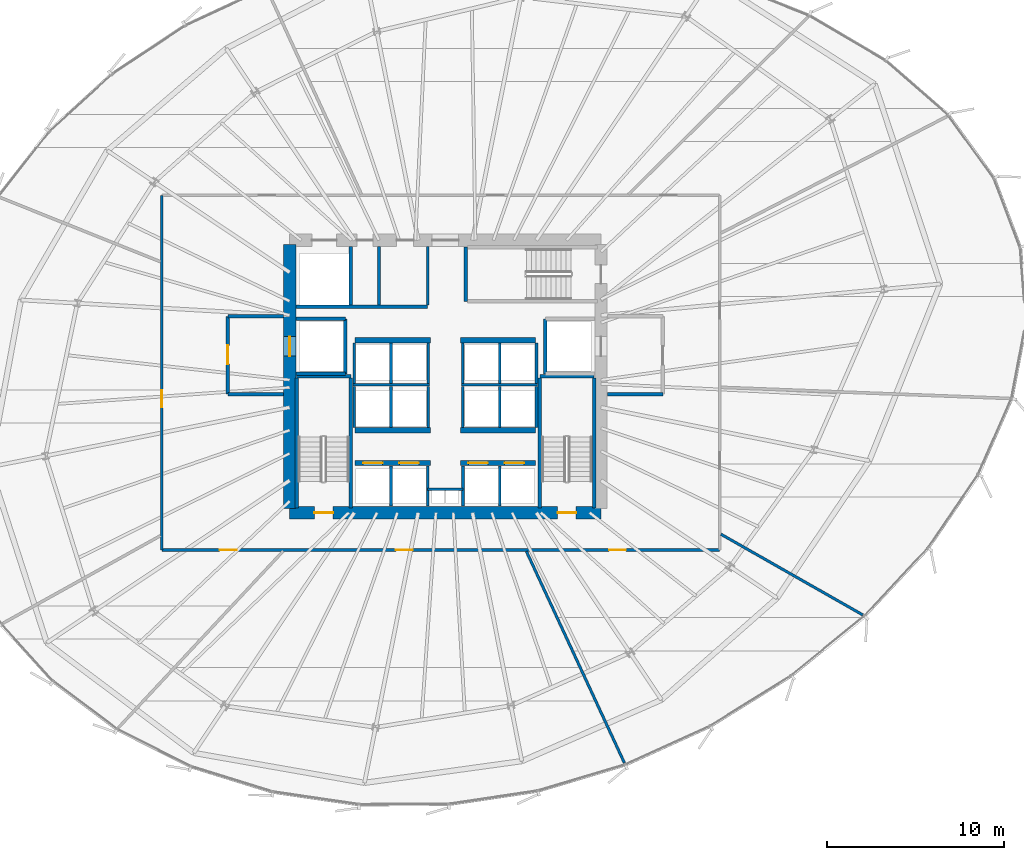
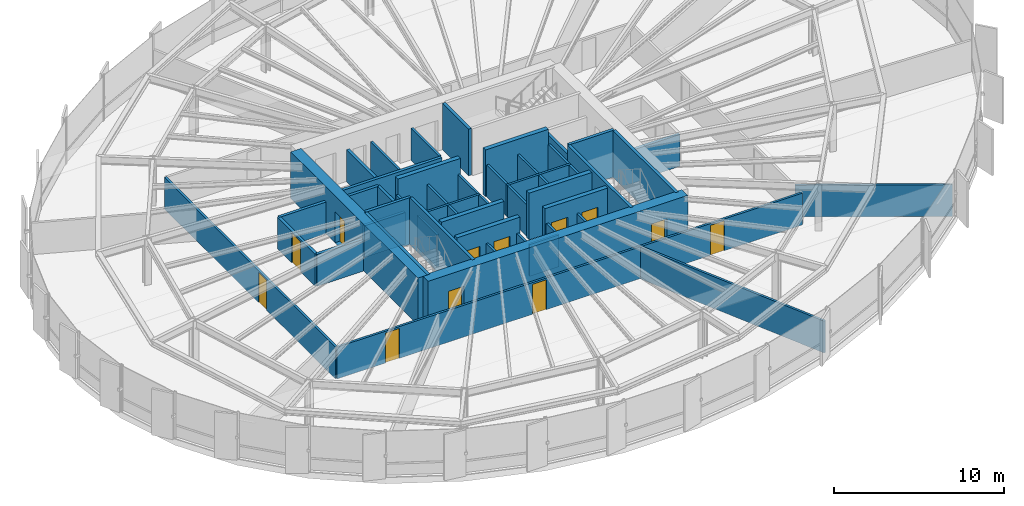
# One storey, part 29 of 35: 50 walls, 12 doors, 12 openings.
"""IFC4 building model written with IfcOpenShell, lengths in metres."""

import ifcopenshell
import ifcopenshell.guid

model = None  # the IFC model being written
_history = None  # IfcOwnerHistory: only IFC2X3 demands one
_inside = {}  # id of a spatial element -> (the spatial element, [elements in it])
_under = {}  # id of a project, library or spatial element -> (it, [spatial elements below it])
_declared = {}  # id of a project -> (the project, [libraries it declares])
_typed = {}  # id of a type object -> (the type object, [elements of that type])
_made_of = {}  # id of a material, layer set ... -> (it, [elements and type objects made of it])


def new_model(schema):
    """Start an empty IFC model of exactly this schema.

    Asked for "IFC4X3", IfcOpenShell would pick the latest addendum, in which some entities
    have other attributes; the version numbers below select the first issue.
    IFC2X3 requires an IfcOwnerHistory on every rooted entity: one is made here for all.
    """
    global model, _history
    if schema == "IFC4X3":
        model = ifcopenshell.file(schema_version=(4, 3, 0, 0))
    else:
        model = ifcopenshell.file(schema=schema)
    _inside.clear()
    _under.clear()
    _declared.clear()
    _typed.clear()
    _made_of.clear()
    _history = None
    if model.schema == "IFC2X3":
        org = make("IfcOrganization", Name="unknown")
        user = make(
            "IfcPersonAndOrganization",
            ThePerson=make("IfcPerson", FamilyName="unknown"),
            TheOrganization=org,
        )
        app = make(
            "IfcApplication",
            ApplicationDeveloper=org,
            Version="unknown",
            ApplicationFullName="unknown",
            ApplicationIdentifier="unknown",
        )
        _history = make(
            "IfcOwnerHistory",
            OwningUser=user,
            OwningApplication=app,
            ChangeAction="ADDED",
            CreationDate=0,
        )
    return model


def make(cls, **values):
    """One entity of the class cls with the attributes given. An attribute that is None is left unset."""
    return model.create_entity(
        cls, **{name: value for name, value in values.items() if value is not None}
    )


def rooted(cls, **values):
    """An entity with a GlobalId (a new one), such as an element, a storey or a relation."""
    return make(cls, GlobalId=ifcopenshell.guid.new(), OwnerHistory=_history, **values)


def si_unit(unit_type, name, prefix=None):
    """IfcSIUnit, for example si_unit("LENGTHUNIT", "METRE", prefix="MILLI")."""
    return make("IfcSIUnit", UnitType=unit_type, Prefix=prefix, Name=name)


def assignment(units):
    """IfcUnitAssignment: the units of a project."""
    return None if units is None else make("IfcUnitAssignment", Units=units)


def point(xyz):
    """IfcCartesianPoint."""
    return None if xyz is None else make("IfcCartesianPoint", Coordinates=xyz)


def direction(xyz):
    """IfcDirection."""
    return None if xyz is None else make("IfcDirection", DirectionRatios=xyz)


def frame(location, z_axis=None, x_axis=None):
    """IfcAxis2Placement3D, a coordinate frame: its origin and axes. An axis left out is left unset."""
    return make(
        "IfcAxis2Placement3D",
        Location=point(location),
        Axis=direction(z_axis),
        RefDirection=direction(x_axis),
    )


def frame_2d(location, x_axis=None):
    """IfcAxis2Placement2D, a coordinate frame in the plane: its origin and x axis."""
    return make(
        "IfcAxis2Placement2D", Location=point(location), RefDirection=direction(x_axis)
    )


def origin():
    """The frame at (0, 0, 0) with its axes left unset."""
    return frame((0.0, 0.0, 0.0))


def place(relative_to, where):
    """IfcLocalPlacement: puts the frame where relative to a parent placement (None: the world)."""
    return make(
        "IfcLocalPlacement", PlacementRelTo=relative_to, RelativePlacement=where
    )


def context(
    kind, dimensions, precision=None, world=None, true_north=None, identifier=None
):
    """IfcGeometricRepresentationContext, for example the 3D "Model" context."""
    return make(
        "IfcGeometricRepresentationContext",
        ContextIdentifier=identifier,
        ContextType=kind,
        CoordinateSpaceDimension=dimensions,
        Precision=precision,
        WorldCoordinateSystem=world,
        TrueNorth=true_north,
    )


def subcontext(parent, identifier, kind, view, scale=None):
    """IfcGeometricRepresentationSubContext, for example "Body" below "Model"."""
    return make(
        "IfcGeometricRepresentationSubContext",
        ContextIdentifier=identifier,
        ContextType=kind,
        ParentContext=parent,
        TargetScale=scale,
        TargetView=view,
    )


def project(units=None, contexts=None):
    """IfcProject with its units and contexts."""
    return rooted(
        "IfcProject",
        Name="project",
        RepresentationContexts=contexts,
        UnitsInContext=assignment(units),
    )


def spatial(cls, under=None, at=None, **own):
    """A site, building, storey or space (cls), placed at a placement, below another one or the project."""
    s = rooted(cls, ObjectPlacement=at, **own)
    if under is not None:
        _under.setdefault(under.id(), (under, []))[1].append(s)
    return s


def profile(cls, at=None, kind="AREA", **sizes):
    """A parametric profile (cls). Its sizes go by their IFC names, for example OverallWidth=200.0."""
    return make(cls, ProfileType=kind, Position=at, **sizes)


def rectangle(**sizes):
    """IfcRectangleProfileDef."""
    return profile("IfcRectangleProfileDef", **sizes)


def extrude(swept, where, along, depth):
    """IfcExtrudedAreaSolid: the profile swept, set in the frame where, extruded along a direction by depth."""
    return make(
        "IfcExtrudedAreaSolid",
        SweptArea=swept,
        Position=where,
        ExtrudedDirection=direction(along),
        Depth=depth,
    )


def shape(context_of_items, identifier, shape_type, items):
    """IfcShapeRepresentation: the items that make up one representation, for example the "Body"."""
    return make(
        "IfcShapeRepresentation",
        ContextOfItems=context_of_items,
        RepresentationIdentifier=identifier,
        RepresentationType=shape_type,
        Items=items,
    )


def source(mapping_origin, context_of_items, identifier, shape_type, items):
    """IfcRepresentationMap: a shape defined once, which mapped items show again and again."""
    return make(
        "IfcRepresentationMap",
        MappingOrigin=mapping_origin,
        MappedRepresentation=shape(context_of_items, identifier, shape_type, items),
    )


def transform(
    local_origin,
    x_axis=None,
    y_axis=None,
    z_axis=None,
    scale=None,
    scale2=None,
    scale3=None,
    uniform=True,
):
    """IfcCartesianTransformationOperator3D, or its non-uniform kind. x_axis, y_axis, z_axis: its Axis1, 2, 3."""
    if uniform:
        return make(
            "IfcCartesianTransformationOperator3D",
            Axis1=direction(x_axis),
            Axis2=direction(y_axis),
            LocalOrigin=point(local_origin),
            Scale=scale,
            Axis3=direction(z_axis),
        )
    return make(
        "IfcCartesianTransformationOperator3DnonUniform",
        Axis1=direction(x_axis),
        Axis2=direction(y_axis),
        LocalOrigin=point(local_origin),
        Scale=scale,
        Axis3=direction(z_axis),
        Scale2=scale2,
        Scale3=scale3,
    )


def mapped(mapping_source, mapping_target):
    """IfcMappedItem: shows the shape of a source again, moved by a transform."""
    return make(
        "IfcMappedItem", MappingSource=mapping_source, MappingTarget=mapping_target
    )


def material(Name=None, Category=None):
    """IfcMaterial."""
    return make("IfcMaterial", Name=Name, Category=Category)


def layer(
    of_material, thickness, ventilated=None, Name=None, Category=None, Priority=None
):
    """IfcMaterialLayer: one layer of a wall or slab, of a material (None: an air gap)."""
    return make(
        "IfcMaterialLayer",
        Material=of_material,
        LayerThickness=thickness,
        IsVentilated=ventilated,
        Name=Name,
        Category=Category,
        Priority=Priority,
    )


def layer_set(layers, Name=None):
    """IfcMaterialLayerSet."""
    return make("IfcMaterialLayerSet", MaterialLayers=layers, LayerSetName=Name)


def made_of(thing, what):
    """Note that an element or type object is made of a material, layer set ...; save() writes the relation."""
    if what is not None:
        _made_of.setdefault(what.id(), (what, []))[1].append(thing)
    return thing


def type_object(cls, material=None, **own):
    """A type object (cls), such as IfcWallType, which elements share."""
    return made_of(rooted(cls, **own), material)


def element(
    cls,
    number,
    at=None,
    inside=None,
    cuts=None,
    type_object=None,
    material=None,
    context=None,
    identifier="Body",
    shape_type=None,
    held_by="IfcProductDefinitionShape",
    body=None,
    shapes=None,
    **own,
):
    """One element of the class cls, such as IfcWall. Its Tag is "e" and its number.

    at: its placement. inside: the storey or other place that contains it. cuts: it is an
    opening in that element (IfcRelVoidsElement). A single representation is given by context,
    identifier, shape_type and body (its items); several are given by shapes. held_by: the class
    of the entity that holds the representations. save() writes the other relations.
    """
    e = rooted(cls, Tag="e%d" % number, ObjectPlacement=at, **own)
    if body is not None:
        shapes = [shape(context, identifier, shape_type, body)]
    if shapes is not None:
        e.Representation = make(held_by, Representations=shapes)
    if inside is not None:
        _inside.setdefault(inside.id(), (inside, []))[1].append(e)
    if cuts is not None:
        rooted(
            "IfcRelVoidsElement", RelatingBuildingElement=cuts, RelatedOpeningElement=e
        )
    if type_object is not None:
        _typed.setdefault(type_object.id(), (type_object, []))[1].append(e)
    return made_of(e, material)


def fill(opening, filler):
    """IfcRelFillsElement: the door or window that sits in an opening."""
    return rooted(
        "IfcRelFillsElement",
        RelatingOpeningElement=opening,
        RelatedBuildingElement=filler,
    )


def aggregate(whole, parts):
    """IfcRelAggregates: a whole, such as a stair, and the parts it consists of."""
    return rooted("IfcRelAggregates", RelatingObject=whole, RelatedObjects=parts)


def save(model, path):
    """Write the relations noted so far, then the file.

    IfcRelAggregates (storeys below a building ...), IfcRelContainedInSpatialStructure (elements
    in a storey), IfcRelDefinesByType, IfcRelAssociatesMaterial and IfcRelDeclares: one each for
    every whole, place, type object, material and project.
    """
    for whole, parts in _under.values():
        aggregate(whole, parts)
    for where, things in _inside.values():
        rooted(
            "IfcRelContainedInSpatialStructure",
            RelatedElements=things,
            RelatingStructure=where,
        )
    for kind, things in _typed.values():
        rooted("IfcRelDefinesByType", RelatedObjects=things, RelatingType=kind)
    for what, things in _made_of.values():
        rooted("IfcRelAssociatesMaterial", RelatedObjects=things, RelatingMaterial=what)
    for by, libraries in _declared.values():
        rooted("IfcRelDeclares", RelatingContext=by, RelatedDefinitions=libraries)
    model.write(path)


model = new_model("IFC4")

# Units and contexts
model_context = context("Model", 3, precision=1e-05, world=origin(), true_north=direction((0.0, 1.0)))
body_context = subcontext(model_context, "Body", "Model", "MODEL_VIEW")
ifc_project = project(units=[si_unit("LENGTHUNIT", "METRE"), si_unit("AREAUNIT", "SQUARE_METRE"), si_unit("VOLUMEUNIT", "CUBIC_METRE"), si_unit("PLANEANGLEUNIT", "RADIAN"), si_unit("MASSUNIT", "GRAM", prefix="KILO"), si_unit("THERMODYNAMICTEMPERATUREUNIT", "KELVIN")], contexts=[model_context])

# Site, building, storey
site_placement = place(None, origin())
site = spatial("IfcSite", under=ifc_project, at=site_placement, CompositionType="ELEMENT")
building_placement = place(site_placement, origin())
building = spatial("IfcBuilding", under=site, at=building_placement, Name="Kethvar Cultural Tower", CompositionType="ELEMENT")
storey_placement = place(building_placement, frame((0.0, 0.0, 85.60009765625)))
storey = spatial("IfcBuildingStorey", under=building, at=storey_placement, Name="L20", CompositionType="ELEMENT", Elevation=85.60009765625)

# Wall, openings, doors
ifc_material_1 = material(Name="Concrete C60/75", Category="concrete")
ifc_layer_1 = layer(ifc_material_1, 0.699951171875, Name="Concrete C60/75", Category="concrete")
ifc_layer_set_1 = layer_set([ifc_layer_1], Name="Concrete C60/75 (700 mm)")
wall_type_1 = type_object("IfcWallType", Name="WL-CORE-700", PredefinedType="SHEAR", material=ifc_layer_set_1)
wall_1_placement = place(storey_placement, frame((38.0, 20.10009765625, 0.0), z_axis=(0.0, 0.0, 1.0), x_axis=(1.0, 0.0, 0.0)))
wall_1 = element("IfcWall", 1, at=wall_1_placement, inside=storey, type_object=wall_type_1, Name="L20 Core Shear Wall S", PredefinedType="SHEAR", context=body_context, shape_type="SweptSolid", body=[
    extrude(rectangle(XDim=17.60009765625, YDim=0.699951171875, at=frame_2d((8.800048828125, 0.0))), origin(), (0.0, 0.0, 1.0), 3.349853515625),
])
opening_1_placement = place(wall_1_placement, frame((1.39990234375, 0.0, 0.0)))
opening_1 = element("IfcOpeningElement", 2, at=opening_1_placement, cuts=wall_1, Name="Opening D-L20-S1", PredefinedType="OPENING", context=body_context, shape_type="SweptSolid", body=[
    extrude(rectangle(XDim=1.050048828125, YDim=2.14990234375, at=frame_2d((0.52490234375, 1.074951171875))), frame((0.0, 0.35986328125, 0.0), z_axis=(0.0, -1.0, 0.0), x_axis=(1.0, 0.0, 0.0)), (0.0, 0.0, 1.0), 0.719970703125),
])
opening_2_placement = place(wall_1_placement, frame((15.14990234375, 0.0, 0.0)))
opening_2 = element("IfcOpeningElement", 3, at=opening_2_placement, cuts=wall_1, Name="Opening D-L20-ST2", PredefinedType="OPENING", context=body_context, shape_type="SweptSolid", body=[
    extrude(rectangle(XDim=1.050048828125, YDim=2.14990234375, at=frame_2d((0.52490234375, 1.074951171875))), frame((0.0, 0.35986328125, 0.0), z_axis=(0.0, -1.0, 0.0), x_axis=(1.0, 0.0, 0.0)), (0.0, 0.0, 1.0), 0.719970703125),
])
ifc_material_2 = material(Name="Steel S355J2", Category="steel")
door_type_1 = type_object("IfcDoorType", Name="DR-FD60-1050", OperationType="NOTDEFINED", PredefinedType="DOOR", material=ifc_material_2)
shared_shape_1 = source(origin(), body_context, "Body", "SweptSolid", [
    extrude(rectangle(XDim=1.050048828125, YDim=2.14990234375, at=frame_2d((0.52490234375, 1.074951171875))), frame((0.0, 0.02490234375, 0.0), z_axis=(0.0, -1.0, 0.0), x_axis=(1.0, 0.0, 0.0)), (0.0, 0.0, 1.0), 0.050048828125),
])
door_1_placement = place(opening_1_placement, origin())
door_1 = element("IfcDoor", 4, at=door_1_placement, inside=storey, type_object=door_type_1, Name="L20 Exit Stair 1 Door", OperationType="SINGLE_SWING_LEFT", OverallHeight=2.14990234375, OverallWidth=1.050048828125, PredefinedType="DOOR", context=body_context, shape_type="MappedRepresentation", body=[
    mapped(shared_shape_1, transform((0.0, 0.0, 0.0), scale=1.0)),
])
fill(opening_1, door_1)
door_2_placement = place(opening_2_placement, origin())
door_2 = element("IfcDoor", 5, at=door_2_placement, inside=storey, type_object=door_type_1, Name="L20 Exit Stair 2 Door", OperationType="SINGLE_SWING_RIGHT", OverallHeight=2.14990234375, OverallWidth=1.050048828125, PredefinedType="DOOR", context=body_context, shape_type="MappedRepresentation", body=[
    mapped(shared_shape_1, transform((0.0, 0.0, 0.0), scale=1.0)),
])
fill(opening_2, door_2)

# Wall, opening, door
wall_2_placement = place(storey_placement, frame((38.0, 35.260009765625, 0.0), z_axis=(0.0, 0.0, 1.0), x_axis=(0.0, -1.0, 0.0)))
wall_2 = element("IfcWall", 6, at=wall_2_placement, inside=storey, type_object=wall_type_1, Name="L20 Core Shear Wall W", PredefinedType="SHEAR", context=body_context, shape_type="SweptSolid", body=[
    extrude(rectangle(XDim=14.919921875, YDim=0.699951171875, at=frame_2d((7.4599609375, 0.0))), origin(), (0.0, 0.0, 1.0), 3.349853515625),
])
opening_3_placement = place(wall_2_placement, frame((5.2099609375, 0.0, 0.0)))
opening_3 = element("IfcOpeningElement", 7, at=opening_3_placement, cuts=wall_2, Name="Opening LD-1", PredefinedType="OPENING", context=body_context, shape_type="SweptSolid", body=[
    extrude(rectangle(XDim=1.10009765625, YDim=2.199951171875, at=frame_2d((0.550048828125, 1.10009765625))), frame((0.0, 0.35986328125, 0.0), z_axis=(0.0, -1.0, 0.0), x_axis=(1.0, 0.0, 0.0)), (0.0, 0.0, 1.0), 0.719970703125),
])
door_type_2 = type_object("IfcDoorType", Name="DR-LIFT-SLIDE-1100", OperationType="NOTDEFINED", PredefinedType="DOOR", material=ifc_material_2)
shared_shape_2 = source(origin(), body_context, "Body", "SweptSolid", [
    extrude(rectangle(XDim=1.10009765625, YDim=2.199951171875, at=frame_2d((0.550048828125, 1.10009765625))), frame((0.0, 0.02490234375, 0.0), z_axis=(0.0, -1.0, 0.0), x_axis=(1.0, 0.0, 0.0)), (0.0, 0.0, 1.0), 0.050048828125),
])
door_3_placement = place(opening_3_placement, origin())
door_3 = element("IfcDoor", 8, at=door_3_placement, inside=storey, type_object=door_type_2, Name="L20 Firefighting Lift Landing Door FFL-01", OperationType="SLIDING_TO_LEFT", OverallHeight=2.199951171875, OverallWidth=1.10009765625, PredefinedType="DOOR", context=body_context, shape_type="MappedRepresentation", body=[
    mapped(shared_shape_2, transform((0.0, 0.0, 0.0), scale=1.0)),
])
fill(opening_3, door_3)

# Walls
ifc_material_3 = material(Name="Gypsum Fireboard Partition")
ifc_layer_2 = layer(ifc_material_3, 0.14990234375, Name="Gypsum Fireboard Partition")
ifc_layer_set_2 = layer_set([ifc_layer_2], Name="Gypsum Fireboard Partition (150 mm)")
wall_type_2 = type_object("IfcWallType", Name="WL-FIRE-150", PredefinedType="PARTITIONING", material=ifc_layer_set_2)
wall_3_placement = place(storey_placement, frame((45.800048828125, 21.419921875, 0.0), z_axis=(0.0, 0.0, 1.0), x_axis=(1.0, 0.0, 0.0)))
element("IfcWall", 9, at=wall_3_placement, inside=storey, type_object=wall_type_2, Name="L20 Core Riser Wall", PredefinedType="PARTITIONING", context=body_context, shape_type="SweptSolid", body=[
    extrude(rectangle(XDim=2.0, YDim=0.14990234375, at=frame_2d((1.0, 0.0))), origin(), (0.0, 0.0, 1.0), 2.27978515625),
])
for number, where, z_axis, x_axis, name in (
    (10, (45.800048828125, 20.47998046875, 0.0), (0.0, 0.0, 1.0), (0.0, 1.0, 0.0), "L20 Core Riser West Wall"),
    (11, (47.800048828125, 20.47998046875, 0.0), (0.0, 0.0, 1.0), (0.0, 1.0, 0.0), "L20 Core Riser East Wall"),
):
    element("IfcWall", number, at=place(storey_placement, frame(where, z_axis=z_axis, x_axis=x_axis)), inside=storey, type_object=wall_type_2, Name=name, PredefinedType="PARTITIONING", context=body_context, shape_type="SweptSolid", body=[
        extrude(rectangle(XDim=2.239990234375, YDim=0.14990234375, at=frame_2d((1.1201171875, 0.0))), origin(), (0.0, 0.0, 1.0), 2.27978515625),
    ])
for number, where, z_axis, x_axis, name in (
    (12, (43.72509765625, 20.4599609375, 0.0), (0.0, 0.0, 1.0), (0.0, 1.0, 0.0), "L20 Low-Rise Lift Shaft Divider W"),
    (13, (49.875, 20.4599609375, 0.0), (0.0, 0.0, 1.0), (0.0, 1.0, 0.0), "L20 Low-Rise Lift Shaft Divider E"),
):
    element("IfcWall", number, at=place(storey_placement, frame(where, z_axis=z_axis, x_axis=x_axis)), inside=storey, type_object=wall_type_2, Name=name, PredefinedType="PARTITIONING", context=body_context, shape_type="SweptSolid", body=[
        extrude(rectangle(XDim=2.27001953125, YDim=0.14990234375, at=frame_2d((1.135009765625, 0.0))), origin(), (0.0, 0.0, 1.0), 2.27978515625),
    ])
wall_4_placement = place(storey_placement, frame((41.580078125, 27.324951171875, 0.0), z_axis=(0.0, 0.0, 1.0), x_axis=(1.0, 0.0, 0.0)))
element("IfcWall", 14, at=wall_4_placement, inside=storey, type_object=wall_type_2, Name="L20 Mid-High Lift Shaft Back Wall W", PredefinedType="PARTITIONING", context=body_context, shape_type="SweptSolid", body=[
    extrude(rectangle(XDim=4.31982421875, YDim=0.14990234375, at=frame_2d((2.159912109375, 0.0))), origin(), (0.0, 0.0, 1.0), 2.27978515625),
])
wall_5_placement = place(storey_placement, frame((47.699951171875, 27.324951171875, 0.0), z_axis=(0.0, 0.0, 1.0), x_axis=(1.0, 0.0, 0.0)))
element("IfcWall", 15, at=wall_5_placement, inside=storey, type_object=wall_type_2, Name="L20 Mid-High Lift Shaft Back Wall E", PredefinedType="PARTITIONING", context=body_context, shape_type="SweptSolid", body=[
    extrude(rectangle(XDim=4.320068359375, YDim=0.14990234375, at=frame_2d((2.16015625, 0.0))), origin(), (0.0, 0.0, 1.0), 2.27978515625),
])
for number, where, z_axis, x_axis, name in (
    (16, (41.64990234375, 24.919921875, 0.0), (0.0, 0.0, 1.0), (0.0, 1.0, 0.0), "L20 Mid-Rise Lift Shaft Outer Wall W"),
    (17, (43.72509765625, 24.919921875, 0.0), (0.0, 0.0, 1.0), (0.0, 1.0, 0.0), "L20 Mid-Rise Lift Shaft Divider W"),
    (18, (45.824951171875, 24.919921875, 0.0), (0.0, 0.0, 1.0), (0.0, 1.0, 0.0), "L20 Mid-Rise Lift Shaft Concourse Wall W"),
    (19, (47.77490234375, 24.919921875, 0.0), (0.0, 0.0, 1.0), (0.0, 1.0, 0.0), "L20 Mid-Rise Lift Shaft Concourse Wall E"),
    (20, (49.875, 24.919921875, 0.0), (0.0, 0.0, 1.0), (0.0, 1.0, 0.0), "L20 Mid-Rise Lift Shaft Divider E"),
    (21, (51.949951171875, 24.919921875, 0.0), (0.0, 0.0, 1.0), (0.0, 1.0, 0.0), "L20 Mid-Rise Lift Shaft Outer Wall E"),
):
    element("IfcWall", number, at=place(storey_placement, frame(where, z_axis=z_axis, x_axis=x_axis)), inside=storey, type_object=wall_type_2, Name=name, PredefinedType="PARTITIONING", context=body_context, shape_type="SweptSolid", body=[
        extrude(rectangle(XDim=2.320068359375, YDim=0.14990234375, at=frame_2d((1.16015625, 0.0))), origin(), (0.0, 0.0, 1.0), 2.27978515625),
    ])
for number, where, z_axis, x_axis, name in (
    (22, (41.64990234375, 27.409912109375, 0.0), (0.0, 0.0, 1.0), (0.0, 1.0, 0.0), "L20 High-Rise Lift Shaft Outer Wall W"),
    (23, (43.72509765625, 27.409912109375, 0.0), (0.0, 0.0, 1.0), (0.0, 1.0, 0.0), "L20 High-Rise Lift Shaft Divider W"),
    (24, (45.824951171875, 27.409912109375, 0.0), (0.0, 0.0, 1.0), (0.0, 1.0, 0.0), "L20 High-Rise Lift Shaft Concourse Wall W"),
    (25, (47.77490234375, 27.409912109375, 0.0), (0.0, 0.0, 1.0), (0.0, 1.0, 0.0), "L20 High-Rise Lift Shaft Concourse Wall E"),
    (26, (49.875, 27.409912109375, 0.0), (0.0, 0.0, 1.0), (0.0, 1.0, 0.0), "L20 High-Rise Lift Shaft Divider E"),
    (27, (51.949951171875, 27.409912109375, 0.0), (0.0, 0.0, 1.0), (0.0, 1.0, 0.0), "L20 High-Rise Lift Shaft Outer Wall E"),
):
    element("IfcWall", number, at=place(storey_placement, frame(where, z_axis=z_axis, x_axis=x_axis)), inside=storey, type_object=wall_type_2, Name=name, PredefinedType="PARTITIONING", context=body_context, shape_type="SweptSolid", body=[
        extrude(rectangle(XDim=2.27001953125, YDim=0.14990234375, at=frame_2d((1.135009765625, 0.0))), origin(), (0.0, 0.0, 1.0), 2.27978515625),
    ])
wall_6_placement = place(storey_placement, frame((45.800048828125, 31.85009765625, 0.0), z_axis=(0.0, 0.0, 1.0), x_axis=(0.0, 1.0, 0.0)))
element("IfcWall", 28, at=wall_6_placement, inside=storey, type_object=wall_type_2, Name="L20 Sanitary Spine Wall", PredefinedType="PARTITIONING", context=body_context, shape_type="SweptSolid", body=[
    extrude(rectangle(XDim=3.289794921875, YDim=0.14990234375, at=frame_2d((1.64501953125, 0.0))), origin(), (0.0, 0.0, 1.0), 2.27978515625),
])

# Wall, openings, doors
wall_7_placement = place(storey_placement, frame((30.77001953125, 17.97998046875, 0.0), z_axis=(0.0, 0.0, 1.0), x_axis=(1.0, 0.0, 0.0)))
wall_7 = element("IfcWall", 29, at=wall_7_placement, inside=storey, type_object=wall_type_2, Name="L20 Corridor Rated Wall S", PredefinedType="PARTITIONING", context=body_context, shape_type="SweptSolid", body=[
    extrude(rectangle(XDim=31.5400390625, YDim=0.14990234375, at=frame_2d((15.77001953125, 0.0))), origin(), (0.0, 0.0, 1.0), 2.27978515625),
])
opening_4_placement = place(wall_7_placement, frame((3.27099609375, 0.0, 0.0)))
opening_4 = element("IfcOpeningElement", 30, at=opening_4_placement, cuts=wall_7, Name="Opening D-L20-01", PredefinedType="OPENING", context=body_context, shape_type="SweptSolid", body=[
    extrude(rectangle(XDim=0.949951171875, YDim=2.14990234375, at=frame_2d((0.47509765625, 1.074951171875))), frame((0.0, 0.0849609375, 0.0), z_axis=(0.0, -1.0, 0.0), x_axis=(1.0, 0.0, 0.0)), (0.0, 0.0, 1.0), 0.169921875),
])
opening_5_placement = place(wall_7_placement, frame((13.233642578125, 0.0, 0.0)))
opening_5 = element("IfcOpeningElement", 31, at=opening_5_placement, cuts=wall_7, Name="Opening D-L20-02", PredefinedType="OPENING", context=body_context, shape_type="SweptSolid", body=[
    extrude(rectangle(XDim=0.949951171875, YDim=2.14990234375, at=frame_2d((0.47509765625, 1.074951171875))), frame((0.0, 0.0849609375, 0.0), z_axis=(0.0, -1.0, 0.0), x_axis=(1.0, 0.0, 0.0)), (0.0, 0.0, 1.0), 0.169921875),
])
opening_6_placement = place(wall_7_placement, frame((25.294677734375, 0.0, 0.0)))
opening_6 = element("IfcOpeningElement", 32, at=opening_6_placement, cuts=wall_7, Name="Opening D-L20-03", PredefinedType="OPENING", context=body_context, shape_type="SweptSolid", body=[
    extrude(rectangle(XDim=0.949951171875, YDim=2.14990234375, at=frame_2d((0.47509765625, 1.074951171875))), frame((0.0, 0.0849609375, 0.0), z_axis=(0.0, -1.0, 0.0), x_axis=(1.0, 0.0, 0.0)), (0.0, 0.0, 1.0), 0.169921875),
])
ifc_material_4 = material(Name="Architectural Oak Timber", Category="wood")
door_type_3 = type_object("IfcDoorType", Name="DR-FD30-950", OperationType="NOTDEFINED", PredefinedType="DOOR", material=ifc_material_4)
shared_shape_3 = source(origin(), body_context, "Body", "SweptSolid", [
    extrude(rectangle(XDim=0.949951171875, YDim=2.14990234375, at=frame_2d((0.47509765625, 1.074951171875))), frame((0.0, 0.02490234375, 0.0), z_axis=(0.0, -1.0, 0.0), x_axis=(1.0, 0.0, 0.0)), (0.0, 0.0, 1.0), 0.050048828125),
])
door_4_placement = place(opening_4_placement, origin())
door_4 = element("IfcDoor", 33, at=door_4_placement, inside=storey, type_object=door_type_3, Name="L20 Special Collections Storage 01 Door", OperationType="SINGLE_SWING_LEFT", OverallHeight=2.14990234375, OverallWidth=0.949951171875, PredefinedType="DOOR", context=body_context, shape_type="MappedRepresentation", body=[
    mapped(shared_shape_3, transform((0.0, 0.0, 0.0), scale=1.0)),
])
fill(opening_4, door_4)
door_5_placement = place(opening_5_placement, origin())
door_5 = element("IfcDoor", 34, at=door_5_placement, inside=storey, type_object=door_type_3, Name="L20 Manuscript Archive Store 02 Door", OperationType="SINGLE_SWING_RIGHT", OverallHeight=2.14990234375, OverallWidth=0.949951171875, PredefinedType="DOOR", context=body_context, shape_type="MappedRepresentation", body=[
    mapped(shared_shape_3, transform((0.0, 0.0, 0.0), scale=1.0)),
])
fill(opening_5, door_5)
door_6_placement = place(opening_6_placement, origin())
door_6 = element("IfcDoor", 35, at=door_6_placement, inside=storey, type_object=door_type_3, Name="L20 Artifact Conservation Storage 03 Door", OperationType="SINGLE_SWING_LEFT", OverallHeight=2.14990234375, OverallWidth=0.949951171875, PredefinedType="DOOR", context=body_context, shape_type="MappedRepresentation", body=[
    mapped(shared_shape_3, transform((0.0, 0.0, 0.0), scale=1.0)),
])
fill(opening_6, door_6)

# Wall, opening, door
wall_8_placement = place(storey_placement, frame((30.77001953125, 38.0400390625, 0.0), z_axis=(0.0, 0.0, 1.0), x_axis=(0.0, -1.0, 0.0)))
wall_8 = element("IfcWall", 36, at=wall_8_placement, inside=storey, type_object=wall_type_2, Name="L20 Corridor Rated Wall W", PredefinedType="PARTITIONING", context=body_context, shape_type="SweptSolid", body=[
    extrude(rectangle(XDim=20.06005859375, YDim=0.14990234375, at=frame_2d((10.030029296875, 0.0))), origin(), (0.0, 0.0, 1.0), 2.27978515625),
])
opening_7_placement = place(wall_8_placement, frame((11.03076171875, 0.0, 0.0)))
opening_7 = element("IfcOpeningElement", 37, at=opening_7_placement, cuts=wall_8, Name="Opening D-L20-09", PredefinedType="OPENING", context=body_context, shape_type="SweptSolid", body=[
    extrude(rectangle(XDim=0.949951171875, YDim=2.14990234375, at=frame_2d((0.47509765625, 1.074951171875))), frame((0.0, 0.0849609375, 0.0), z_axis=(0.0, -1.0, 0.0), x_axis=(1.0, 0.0, 0.0)), (0.0, 0.0, 1.0), 0.169921875),
])
door_7_placement = place(opening_7_placement, origin())
door_7 = element("IfcDoor", 38, at=door_7_placement, inside=storey, type_object=door_type_3, Name="L20 Researchers' Study Lounge 09 Door", OperationType="SINGLE_SWING_LEFT", OverallHeight=2.14990234375, OverallWidth=0.949951171875, PredefinedType="DOOR", context=body_context, shape_type="MappedRepresentation", body=[
    mapped(shared_shape_3, transform((0.0, 0.0, 0.0), scale=1.0)),
])
fill(opening_7, door_7)

# Walls
ifc_material_5 = material(Name="Concrete C40/50", Category="concrete")
ifc_layer_3 = layer(ifc_material_5, 0.199951171875, Name="Concrete C40/50", Category="concrete")
ifc_layer_set_3 = layer_set([ifc_layer_3], Name="Concrete C40/50 (200 mm)")
wall_type_3 = type_object("IfcWallType", Name="WL-FIRE-200", PredefinedType="PARTITIONING", material=ifc_layer_set_3)
wall_9_placement = place(storey_placement, frame((41.14990234375, 27.949951171875, 0.0), z_axis=(0.0, 0.0, 1.0), x_axis=(0.0, 1.0, 0.0)))
element("IfcWall", 39, at=wall_9_placement, inside=storey, type_object=wall_type_3, Name="L20 FFL-01 Shaft Inner Wall", PredefinedType="PARTITIONING", context=body_context, shape_type="SweptSolid", body=[
    extrude(rectangle(XDim=3.10009765625, YDim=0.199951171875, at=frame_2d((1.550048828125, 0.0))), origin(), (0.0, 0.0, 1.0), 2.27978515625),
])
for number, where, z_axis, x_axis, name in (
    (40, (38.360107421875, 27.949951171875, 0.0), (0.0, 0.0, 1.0), (1.0, 0.0, 0.0), "L20 FFL-01 Shaft South Wall"),
    (41, (38.360107421875, 31.050048828125, 0.0), (0.0, 0.0, 1.0), (1.0, 0.0, 0.0), "L20 FFL-01 Shaft North Wall"),
):
    element("IfcWall", number, at=place(storey_placement, frame(where, z_axis=z_axis, x_axis=x_axis)), inside=storey, type_object=wall_type_3, Name=name, PredefinedType="PARTITIONING", context=body_context, shape_type="SweptSolid", body=[
        extrude(rectangle(XDim=2.789794921875, YDim=0.199951171875, at=frame_2d((1.39501953125, 0.0))), origin(), (0.0, 0.0, 1.0), 2.27978515625),
    ])

# Wall, opening, door
wall_10_placement = place(storey_placement, frame((34.5, 31.199951171875, 0.0), z_axis=(0.0, 0.0, 1.0), x_axis=(0.0, -1.0, 0.0)))
wall_10 = element("IfcWall", 42, at=wall_10_placement, inside=storey, type_object=wall_type_3, Name="L20 Firefighting Lobby 1 Wall", PredefinedType="PARTITIONING", context=body_context, shape_type="SweptSolid", body=[
    extrude(rectangle(XDim=4.39990234375, YDim=0.199951171875, at=frame_2d((2.199951171875, 0.0))), origin(), (0.0, 0.0, 1.0), 2.27978515625),
])
opening_8_placement = place(wall_10_placement, frame((1.64990234375, 0.0, 0.0)))
opening_8 = element("IfcOpeningElement", 43, at=opening_8_placement, cuts=wall_10, Name="Opening D-L20-F1", PredefinedType="OPENING", context=body_context, shape_type="SweptSolid", body=[
    extrude(rectangle(XDim=1.050048828125, YDim=2.14990234375, at=frame_2d((0.52490234375, 1.074951171875))), frame((0.0, 0.10986328125, 0.0), z_axis=(0.0, -1.0, 0.0), x_axis=(1.0, 0.0, 0.0)), (0.0, 0.0, 1.0), 0.219970703125),
])
door_8_placement = place(opening_8_placement, origin())
door_8 = element("IfcDoor", 44, at=door_8_placement, inside=storey, type_object=door_type_1, Name="L20 Firefighting Lobby 1 Fire Door", OperationType="SINGLE_SWING_LEFT", OverallHeight=2.14990234375, OverallWidth=1.050048828125, PredefinedType="DOOR", context=body_context, shape_type="MappedRepresentation", body=[
    mapped(shared_shape_1, transform((0.0, 0.0, 0.0), scale=1.0)),
])
fill(opening_8, door_8)

# Walls
for number, where, z_axis, x_axis, name in (
    (45, (34.5, 26.800048828125, 0.0), (0.0, 0.0, 1.0), (1.0, 0.0, 0.0), "L20 FF Lobby 1 South Wall"),
    (46, (34.5, 31.199951171875, 0.0), (0.0, 0.0, 1.0), (1.0, 0.0, 0.0), "L20 FF Lobby 1 North Wall"),
):
    element("IfcWall", number, at=place(storey_placement, frame(where, z_axis=z_axis, x_axis=x_axis)), inside=storey, type_object=wall_type_3, Name=name, PredefinedType="PARTITIONING", context=body_context, shape_type="SweptSolid", body=[
        extrude(rectangle(XDim=3.139892578125, YDim=0.199951171875, at=frame_2d((1.56982421875, 0.0))), origin(), (0.0, 0.0, 1.0), 2.27978515625),
    ])
wall_11_placement = place(storey_placement, frame((52.449951171875, 27.949951171875, 0.0), z_axis=(0.0, 0.0, 1.0), x_axis=(0.0, 1.0, 0.0)))
element("IfcWall", 47, at=wall_11_placement, inside=storey, type_object=wall_type_3, Name="L20 FFL-02 Shaft Inner Wall", PredefinedType="PARTITIONING", context=body_context, shape_type="SweptSolid", body=[
    extrude(rectangle(XDim=3.10009765625, YDim=0.199951171875, at=frame_2d((1.550048828125, 0.0))), origin(), (0.0, 0.0, 1.0), 2.27978515625),
])
wall_12_placement = place(storey_placement, frame((55.9599609375, 26.800048828125, 0.0), z_axis=(0.0, 0.0, 1.0), x_axis=(1.0, 0.0, 0.0)))
element("IfcWall", 48, at=wall_12_placement, inside=storey, type_object=wall_type_3, Name="L20 FF Lobby 2 South Wall", PredefinedType="PARTITIONING", context=body_context, shape_type="SweptSolid", body=[
    extrude(rectangle(XDim=3.14013671875, YDim=0.199951171875, at=frame_2d((1.570068359375, 0.0))), origin(), (0.0, 0.0, 1.0), 2.27978515625),
])
wall_13_placement = place(storey_placement, frame((41.449951171875, 31.85009765625, 0.0), z_axis=(0.0, 0.0, 1.0), x_axis=(0.0, 1.0, 0.0)))
element("IfcWall", 49, at=wall_13_placement, inside=storey, type_object=wall_type_3, Name="L20 NW Core Pocket Wall", PredefinedType="PARTITIONING", context=body_context, shape_type="SweptSolid", body=[
    extrude(rectangle(XDim=3.289794921875, YDim=0.199951171875, at=frame_2d((1.64501953125, 0.0))), origin(), (0.0, 0.0, 1.0), 2.27978515625),
])
wall_14_placement = place(storey_placement, frame((38.360107421875, 31.72998046875, 0.0), z_axis=(0.0, 0.0, 1.0), x_axis=(1.0, 0.0, 0.0)))
element("IfcWall", 50, at=wall_14_placement, inside=storey, type_object=wall_type_3, Name="L20 North Core Sanitary South Wall", PredefinedType="PARTITIONING", context=body_context, shape_type="SweptSolid", body=[
    extrude(rectangle(XDim=7.43994140625, YDim=0.199951171875, at=frame_2d((3.719970703125, 0.0))), origin(), (0.0, 0.0, 1.0), 2.27978515625),
])
ifc_material_6 = material(Name="Gypsum Acoustic Partition")
ifc_layer_4 = layer(ifc_material_6, 0.14990234375, Name="Gypsum Acoustic Partition")
ifc_layer_set_4 = layer_set([ifc_layer_4], Name="Gypsum Acoustic Partition (150 mm)")
wall_type_4 = type_object("IfcWallType", Name="WL-PART-150", PredefinedType="PARTITIONING", material=ifc_layer_set_4)
wall_15_placement = place(storey_placement, frame((51.382568359375, 17.907470703125, 0.0), z_axis=(0.0, 0.0, 1.0), x_axis=(0.420357651393, -0.907358498564, 0.0)))
element("IfcWall", 51, at=wall_15_placement, inside=storey, type_object=wall_type_4, Name="L20 Radial Partition Wall 03", PredefinedType="PARTITIONING", context=body_context, shape_type="SweptSolid", body=[
    extrude(rectangle(XDim=13.1845703125, YDim=0.14990234375, at=frame_2d((6.59228515625, 0.0))), origin(), (0.0, 0.0, 1.0), 2.27978515625),
])
wall_16_placement = place(storey_placement, frame((62.37939453125, 18.879150390625, 0.0), z_axis=(0.0, 0.0, 1.0), x_axis=(0.86919988311, -0.494460881366, 0.0)))
element("IfcWall", 52, at=wall_16_placement, inside=storey, type_object=wall_type_4, Name="L20 Radial Partition Wall 04", PredefinedType="PARTITIONING", context=body_context, shape_type="SweptSolid", body=[
    extrude(rectangle(XDim=9.233642578125, YDim=0.14990234375, at=frame_2d((4.61669921875, 0.0))), origin(), (0.0, 0.0, 1.0), 2.27978515625),
])
ifc_material_7 = material(Name="Moisture-Resistant Sanitary Chase Wall")
ifc_layer_5 = layer(ifc_material_7, 0.14990234375, Name="Moisture-Resistant Sanitary Chase Wall")
ifc_layer_set_5 = layer_set([ifc_layer_5], Name="Moisture-Resistant Sanitary Chase Wall (150 mm)")
wall_type_5 = type_object("IfcWallType", Name="WL-PLUMB-150", PredefinedType="PLUMBINGWALL", material=ifc_layer_set_5)
wall_17_placement = place(storey_placement, frame((43.050048828125, 31.85009765625, 0.0), z_axis=(0.0, 0.0, 1.0), x_axis=(0.0, 1.0, 0.0)))
element("IfcWall", 53, at=wall_17_placement, inside=storey, type_object=wall_type_5, Name="L20 Sanitary Plumbing Wall", PredefinedType="PLUMBINGWALL", context=body_context, shape_type="SweptSolid", body=[
    extrude(rectangle(XDim=3.289794921875, YDim=0.14990234375, at=frame_2d((1.64501953125, 0.0))), origin(), (0.0, 0.0, 1.0), 2.27978515625),
])

# Wall, openings, doors
ifc_material_8 = material(Name="Concrete C50/60", Category="concrete")
ifc_layer_6 = layer(ifc_material_8, 0.300048828125, Name="Concrete C50/60", Category="concrete")
ifc_layer_set_6 = layer_set([ifc_layer_6], Name="Concrete C50/60 (300 mm)")
wall_type_6 = type_object("IfcWallType", Name="WL-SHAFT-300", PredefinedType="SHEAR", material=ifc_layer_set_6)
wall_18_placement = place(storey_placement, frame((41.699951171875, 22.89990234375, 0.0), z_axis=(0.0, 0.0, 1.0), x_axis=(1.0, 0.0, 0.0)))
wall_18 = element("IfcWall", 54, at=wall_18_placement, inside=storey, type_object=wall_type_6, Name="L20 Core Lift Spine Wall MID1W", PredefinedType="SHEAR", context=body_context, shape_type="SweptSolid", body=[
    extrude(rectangle(XDim=4.25, YDim=0.300048828125, at=frame_2d((2.125, 0.0))), origin(), (0.0, 0.0, 1.0), 3.349853515625),
])
opening_9_placement = place(wall_18_placement, frame((0.449951171875, 0.0, 0.0)))
opening_9 = element("IfcOpeningElement", 55, at=opening_9_placement, cuts=wall_18, Name="Opening LD-L1", PredefinedType="OPENING", context=body_context, shape_type="SweptSolid", body=[
    extrude(rectangle(XDim=1.10009765625, YDim=2.199951171875, at=frame_2d((0.550048828125, 1.10009765625))), frame((0.0, 0.159912109375, 0.0), z_axis=(0.0, -1.0, 0.0), x_axis=(1.0, 0.0, 0.0)), (0.0, 0.0, 1.0), 0.320068359375),
])
opening_10_placement = place(wall_18_placement, frame((2.5, 0.0, 0.0)))
opening_10 = element("IfcOpeningElement", 56, at=opening_10_placement, cuts=wall_18, Name="Opening LD-L2", PredefinedType="OPENING", context=body_context, shape_type="SweptSolid", body=[
    extrude(rectangle(XDim=1.10009765625, YDim=2.199951171875, at=frame_2d((0.550048828125, 1.10009765625))), frame((0.0, 0.159912109375, 0.0), z_axis=(0.0, -1.0, 0.0), x_axis=(1.0, 0.0, 0.0)), (0.0, 0.0, 1.0), 0.320068359375),
])
door_9_placement = place(opening_9_placement, origin())
door_9 = element("IfcDoor", 57, at=door_9_placement, inside=storey, type_object=door_type_2, Name="L20 Low-Rise Lift Landing Door L1", OperationType="SLIDING_TO_LEFT", OverallHeight=2.199951171875, OverallWidth=1.10009765625, PredefinedType="DOOR", context=body_context, shape_type="MappedRepresentation", body=[
    mapped(shared_shape_2, transform((0.0, 0.0, 0.0), scale=1.0)),
])
fill(opening_9, door_9)
door_10_placement = place(opening_10_placement, origin())
door_10 = element("IfcDoor", 58, at=door_10_placement, inside=storey, type_object=door_type_2, Name="L20 Low-Rise Lift Landing Door L2", OperationType="SLIDING_TO_LEFT", OverallHeight=2.199951171875, OverallWidth=1.10009765625, PredefinedType="DOOR", context=body_context, shape_type="MappedRepresentation", body=[
    mapped(shared_shape_2, transform((0.0, 0.0, 0.0), scale=1.0)),
])
fill(opening_10, door_10)

wall_19_placement = place(storey_placement, frame((47.64990234375, 22.89990234375, 0.0), z_axis=(0.0, 0.0, 1.0), x_axis=(1.0, 0.0, 0.0)))
wall_19 = element("IfcWall", 59, at=wall_19_placement, inside=storey, type_object=wall_type_6, Name="L20 Core Lift Spine Wall MID1E", PredefinedType="SHEAR", context=body_context, shape_type="SweptSolid", body=[
    extrude(rectangle(XDim=4.25, YDim=0.300048828125, at=frame_2d((2.125, 0.0))), origin(), (0.0, 0.0, 1.0), 3.349853515625),
])
opening_11_placement = place(wall_19_placement, frame((0.449951171875, 0.0, 0.0)))
opening_11 = element("IfcOpeningElement", 60, at=opening_11_placement, cuts=wall_19, Name="Opening LD-L3", PredefinedType="OPENING", context=body_context, shape_type="SweptSolid", body=[
    extrude(rectangle(XDim=1.10009765625, YDim=2.199951171875, at=frame_2d((0.550048828125, 1.10009765625))), frame((0.0, 0.159912109375, 0.0), z_axis=(0.0, -1.0, 0.0), x_axis=(1.0, 0.0, 0.0)), (0.0, 0.0, 1.0), 0.320068359375),
])
opening_12_placement = place(wall_19_placement, frame((2.5, 0.0, 0.0)))
opening_12 = element("IfcOpeningElement", 61, at=opening_12_placement, cuts=wall_19, Name="Opening LD-L4", PredefinedType="OPENING", context=body_context, shape_type="SweptSolid", body=[
    extrude(rectangle(XDim=1.10009765625, YDim=2.199951171875, at=frame_2d((0.550048828125, 1.10009765625))), frame((0.0, 0.159912109375, 0.0), z_axis=(0.0, -1.0, 0.0), x_axis=(1.0, 0.0, 0.0)), (0.0, 0.0, 1.0), 0.320068359375),
])
door_11_placement = place(opening_11_placement, origin())
door_11 = element("IfcDoor", 62, at=door_11_placement, inside=storey, type_object=door_type_2, Name="L20 Low-Rise Lift Landing Door L3", OperationType="SLIDING_TO_LEFT", OverallHeight=2.199951171875, OverallWidth=1.10009765625, PredefinedType="DOOR", context=body_context, shape_type="MappedRepresentation", body=[
    mapped(shared_shape_2, transform((0.0, 0.0, 0.0), scale=1.0)),
])
fill(opening_11, door_11)
door_12_placement = place(opening_12_placement, origin())
door_12 = element("IfcDoor", 63, at=door_12_placement, inside=storey, type_object=door_type_2, Name="L20 Low-Rise Lift Landing Door L4", OperationType="SLIDING_TO_LEFT", OverallHeight=2.199951171875, OverallWidth=1.10009765625, PredefinedType="DOOR", context=body_context, shape_type="MappedRepresentation", body=[
    mapped(shared_shape_2, transform((0.0, 0.0, 0.0), scale=1.0)),
])
fill(opening_12, door_12)

# Walls
for number, where, z_axis, x_axis, name in (
    (64, (41.699951171875, 24.75, 0.0), (0.0, 0.0, 1.0), (1.0, 0.0, 0.0), "L20 Core Lift Spine Wall MID2W"),
    (65, (47.64990234375, 24.75, 0.0), (0.0, 0.0, 1.0), (1.0, 0.0, 0.0), "L20 Core Lift Spine Wall MID2E"),
    (66, (41.699951171875, 29.85009765625, 0.0), (0.0, 0.0, 1.0), (1.0, 0.0, 0.0), "L20 Core Lift Spine Wall MID3W"),
    (67, (47.64990234375, 29.85009765625, 0.0), (0.0, 0.0, 1.0), (1.0, 0.0, 0.0), "L20 Core Lift Spine Wall MID3E"),
):
    element("IfcWall", number, at=place(storey_placement, frame(where, z_axis=z_axis, x_axis=x_axis)), inside=storey, type_object=wall_type_6, Name=name, PredefinedType="SHEAR", context=body_context, shape_type="SweptSolid", body=[
        extrude(rectangle(XDim=4.25, YDim=0.300048828125, at=frame_2d((2.125, 0.0))), origin(), (0.0, 0.0, 1.0), 3.349853515625),
    ])
ifc_layer_7 = layer(ifc_material_8, 0.199951171875, Name="Concrete C50/60", Category="concrete")
ifc_layer_set_7 = layer_set([ifc_layer_7], Name="Concrete C50/60 (200 mm)")
wall_type_7 = type_object("IfcWallType", Name="WL-STSHAFT-200", PredefinedType="SHEAR", material=ifc_layer_set_7)
wall_20_placement = place(storey_placement, frame((38.389892578125, 27.800048828125, 0.0), z_axis=(0.0, 0.0, 1.0), x_axis=(1.0, 0.0, 0.0)))
element("IfcWall", 68, at=wall_20_placement, inside=storey, type_object=wall_type_7, Name="L20 ST-01 Stair Shaft Wall FAR", PredefinedType="SHEAR", context=body_context, shape_type="SweptSolid", body=[
    extrude(rectangle(XDim=3.06005859375, YDim=0.199951171875, at=frame_2d((1.530029296875, 0.0))), origin(), (0.0, 0.0, 1.0), 3.349853515625),
])
for number, where, z_axis, x_axis, name in (
    (69, (41.449951171875, 27.699951171875, 0.0), (0.0, 0.0, 1.0), (0.0, -1.0, 0.0), "L20 ST-01 Stair Shaft Wall LEFT"),
    (70, (38.389892578125, 20.35009765625, 0.0), (0.0, 0.0, 1.0), (0.0, 1.0, 0.0), "L20 ST-01 Stair Shaft Wall RIGHT"),
):
    element("IfcWall", number, at=place(storey_placement, frame(where, z_axis=z_axis, x_axis=x_axis)), inside=storey, type_object=wall_type_7, Name=name, PredefinedType="SHEAR", context=body_context, shape_type="SweptSolid", body=[
        extrude(rectangle(XDim=7.349853515625, YDim=0.199951171875, at=frame_2d((3.6748046875, 0.0))), origin(), (0.0, 0.0, 1.0), 3.349853515625),
    ])
wall_21_placement = place(storey_placement, frame((52.14990234375, 27.800048828125, 0.0), z_axis=(0.0, 0.0, 1.0), x_axis=(1.0, 0.0, 0.0)))
element("IfcWall", 71, at=wall_21_placement, inside=storey, type_object=wall_type_7, Name="L20 ST-02 Stair Shaft Wall FAR", PredefinedType="SHEAR", context=body_context, shape_type="SweptSolid", body=[
    extrude(rectangle(XDim=3.06005859375, YDim=0.199951171875, at=frame_2d((1.530029296875, 0.0))), origin(), (0.0, 0.0, 1.0), 3.349853515625),
])
for number, where, z_axis, x_axis, name in (
    (72, (55.2099609375, 27.699951171875, 0.0), (0.0, 0.0, 1.0), (0.0, -1.0, 0.0), "L20 ST-02 Stair Shaft Wall LEFT"),
    (73, (52.14990234375, 20.35009765625, 0.0), (0.0, 0.0, 1.0), (0.0, 1.0, 0.0), "L20 ST-02 Stair Shaft Wall RIGHT"),
):
    element("IfcWall", number, at=place(storey_placement, frame(where, z_axis=z_axis, x_axis=x_axis)), inside=storey, type_object=wall_type_7, Name=name, PredefinedType="SHEAR", context=body_context, shape_type="SweptSolid", body=[
        extrude(rectangle(XDim=7.349853515625, YDim=0.199951171875, at=frame_2d((3.6748046875, 0.0))), origin(), (0.0, 0.0, 1.0), 3.349853515625),
    ])
wall_22_placement = place(storey_placement, frame((47.949951171875, 32.050048828125, 0.0), z_axis=(0.0, 0.0, 1.0), x_axis=(0.0, 1.0, 0.0)))
element("IfcWall", 74, at=wall_22_placement, inside=storey, type_object=wall_type_7, Name="L20 ST-03 Stair Shaft Wall FAR", PredefinedType="SHEAR", context=body_context, shape_type="SweptSolid", body=[
    extrude(rectangle(XDim=3.06005859375, YDim=0.199951171875, at=frame_2d((1.530029296875, 0.0))), origin(), (0.0, 0.0, 1.0), 3.349853515625),
])

save(model, "model.ifc")
